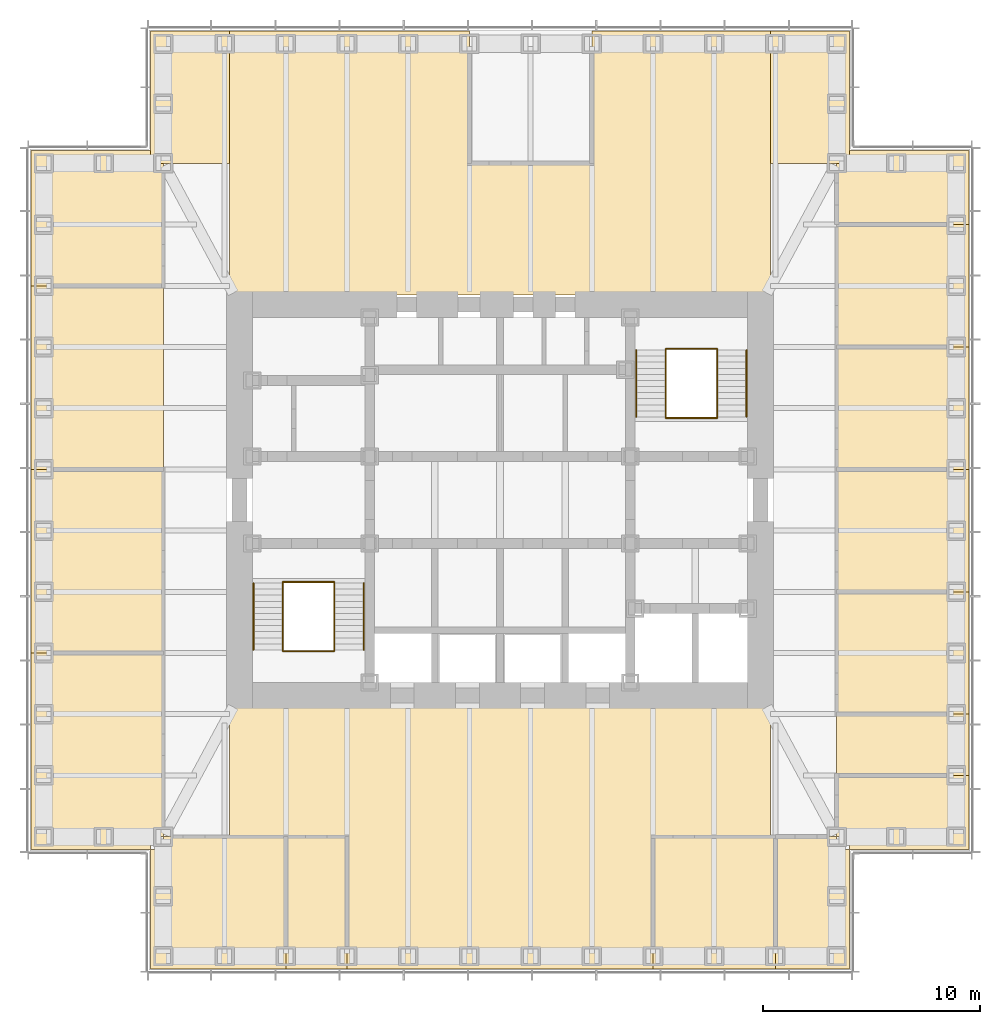
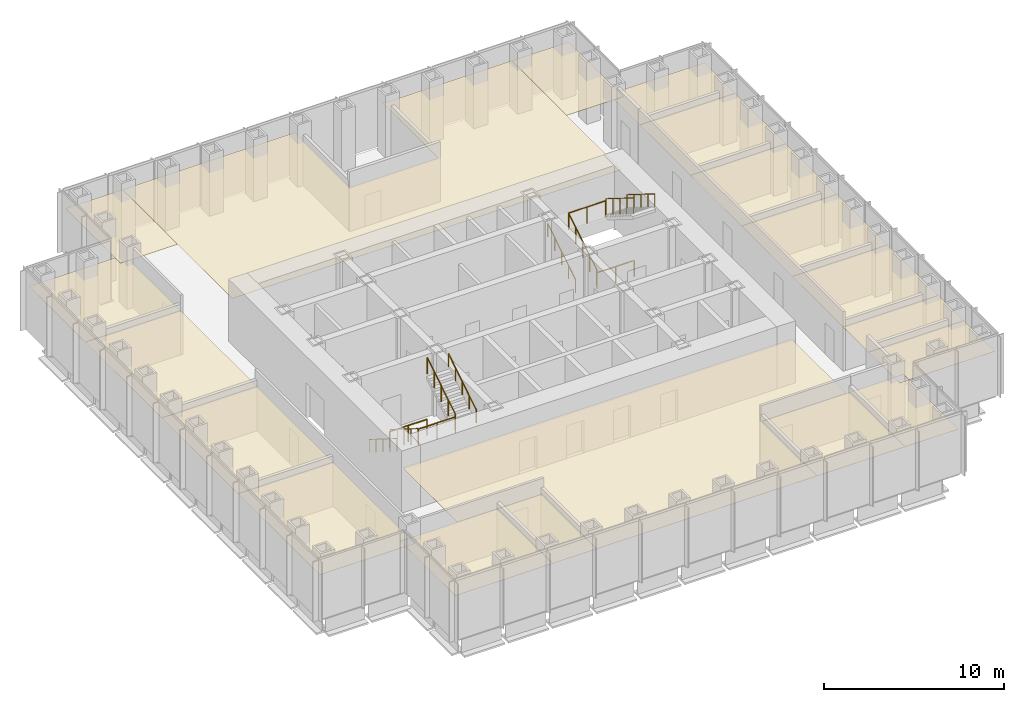
# One storey, part 16 of 16: 19 coverings, 12 railings.
"""IFC4 building model written with IfcOpenShell, lengths in metres."""

from ifc_helpers import new_model, si_unit, direction, frame, origin, origin_2d, place, context, subcontext, project, spatial, polyline, circle, outline, extrude, material, layer, layer_set, type_object, element, save


model = new_model("IFC4")

# Units and contexts
model_context = context("Model", 3, precision=1e-05, world=origin(), true_north=direction((0.0, 1.0)))
body_context = subcontext(model_context, "Body", "Model", "MODEL_VIEW")
ifc_project = project(units=[si_unit("LENGTHUNIT", "METRE"), si_unit("AREAUNIT", "SQUARE_METRE"), si_unit("VOLUMEUNIT", "CUBIC_METRE"), si_unit("PLANEANGLEUNIT", "RADIAN"), si_unit("MASSUNIT", "GRAM", prefix="KILO")], contexts=[model_context])

# Site, building, storey
site_placement = place(None, origin())
site = spatial("IfcSite", under=ifc_project, at=site_placement, CompositionType="ELEMENT")
building_placement = place(site_placement, origin())
building = spatial("IfcBuilding", under=site, at=building_placement, Name="Daluyong Arena Tower", CompositionType="ELEMENT")
storey_placement = place(building_placement, frame((0.0, 0.0, 202.300048828125)))
storey = spatial("IfcBuildingStorey", under=building, at=storey_placement, Name="L45", CompositionType="ELEMENT", Elevation=202.300048828125)

# Coverings
ifc_material_1 = material(Name="Mineral fibre ceiling tile", Category="gypsum board")
ifc_layer = layer(ifc_material_1, 0.02001953125)
ifc_layer_set = layer_set([ifc_layer], Name="Mineral fibre ceiling tile")
covering_type = type_object("IfcCoveringType", Name="Office ceiling", PredefinedType="CEILING", material=ifc_layer_set)
covering_1_placement = place(storey_placement, frame((0.0, 0.0, 2.89990234375)))
element("IfcCovering", 1, at=covering_1_placement, inside=storey, type_object=covering_type, Name="ceiling L45-01", PredefinedType="CEILING", context=body_context, shape_type="SweptSolid", body=[
    extrude(outline(polyline([(39.89990234375, 63.89990234375), (39.89990234375, 58.39990234375), (46.136474609375, 58.39990234375), (46.136474609375, 64.5), (40.5, 64.5), (40.5, 63.89990234375), (39.89990234375, 63.89990234375)])), origin(), (0.0, 0.0, 1.0), 0.02001953125),
])
covering_2_placement = place(storey_placement, frame((0.0, 0.0, 2.89990234375)))
element("IfcCovering", 2, at=covering_2_placement, inside=storey, type_object=covering_type, Name="ceiling L45-02", PredefinedType="CEILING", context=body_context, shape_type="SweptSolid", body=[
    extrude(outline(polyline([(46.136474609375, 64.5), (46.136474609375, 58.39990234375), (48.95458984375, 58.39990234375), (48.95458984375, 64.5), (46.136474609375, 64.5)])), origin(), (0.0, 0.0, 1.0), 0.02001953125),
])
covering_3_placement = place(storey_placement, frame((0.0, 0.0, 2.89990234375)))
element("IfcCovering", 3, at=covering_3_placement, inside=storey, type_object=covering_type, Name="ceiling L45-03", PredefinedType="CEILING", context=body_context, shape_type="SweptSolid", body=[
    extrude(outline(polyline([(63.04541015625, 64.5), (63.04541015625, 58.39990234375), (68.681884765625, 58.39990234375), (68.681884765625, 64.5), (63.04541015625, 64.5)])), origin(), (0.0, 0.0, 1.0), 0.02001953125),
])
covering_4_placement = place(storey_placement, frame((0.0, 0.0, 2.89990234375)))
element("IfcCovering", 4, at=covering_4_placement, inside=storey, type_object=covering_type, Name="ceiling L45-04", PredefinedType="CEILING", context=body_context, shape_type="SweptSolid", body=[
    extrude(outline(polyline([(72.10009765625, 58.39990234375), (72.10009765625, 63.89990234375), (71.5, 63.89990234375), (71.5, 64.5), (68.681884765625, 64.5), (68.681884765625, 58.39990234375), (72.10009765625, 58.39990234375)])), origin(), (0.0, 0.0, 1.0), 0.02001953125),
])
covering_5_placement = place(storey_placement, frame((0.0, 0.0, 2.89990234375)))
element("IfcCovering", 5, at=covering_5_placement, inside=storey, type_object=covering_type, Name="ceiling L45-05", PredefinedType="CEILING", context=body_context, shape_type="SweptSolid", body=[
    extrude(outline(polyline([(72.10009765625, 63.89990234375), (77.60009765625, 63.89990234375), (77.60009765625, 67.318115234375), (71.5, 67.318115234375), (71.5, 64.5), (72.10009765625, 64.5), (72.10009765625, 63.89990234375)])), origin(), (0.0, 0.0, 1.0), 0.02001953125),
])
covering_6_placement = place(storey_placement, frame((0.0, 0.0, 2.89990234375)))
element("IfcCovering", 6, at=covering_6_placement, inside=storey, type_object=covering_type, Name="ceiling L45-06", PredefinedType="CEILING", context=body_context, shape_type="SweptSolid", body=[
    extrude(outline(polyline([(71.5, 70.136474609375), (77.60009765625, 70.136474609375), (77.60009765625, 75.772705078125), (71.5, 75.772705078125), (71.5, 70.136474609375)])), origin(), (0.0, 0.0, 1.0), 0.02001953125),
])
covering_7_placement = place(storey_placement, frame((0.0, 0.0, 2.89990234375)))
element("IfcCovering", 7, at=covering_7_placement, inside=storey, type_object=covering_type, Name="ceiling L45-07", PredefinedType="CEILING", context=body_context, shape_type="SweptSolid", body=[
    extrude(outline(polyline([(71.5, 75.772705078125), (77.60009765625, 75.772705078125), (77.60009765625, 81.4091796875), (71.5, 81.4091796875), (71.5, 75.772705078125)])), origin(), (0.0, 0.0, 1.0), 0.02001953125),
])
covering_8_placement = place(storey_placement, frame((0.0, 0.0, 2.89990234375)))
element("IfcCovering", 8, at=covering_8_placement, inside=storey, type_object=covering_type, Name="ceiling L45-08", PredefinedType="CEILING", context=body_context, shape_type="SweptSolid", body=[
    extrude(outline(polyline([(71.5, 81.4091796875), (77.60009765625, 81.4091796875), (77.60009765625, 87.04541015625), (71.5, 87.04541015625), (71.5, 81.4091796875)])), origin(), (0.0, 0.0, 1.0), 0.02001953125),
])
covering_9_placement = place(storey_placement, frame((0.0, 0.0, 2.89990234375)))
element("IfcCovering", 9, at=covering_9_placement, inside=storey, type_object=covering_type, Name="ceiling L45-09", PredefinedType="CEILING", context=body_context, shape_type="SweptSolid", body=[
    extrude(outline(polyline([(71.5, 87.04541015625), (77.60009765625, 87.04541015625), (77.60009765625, 92.681884765625), (71.5, 92.681884765625), (71.5, 87.04541015625)])), origin(), (0.0, 0.0, 1.0), 0.02001953125),
])
covering_10_placement = place(storey_placement, frame((0.0, 0.0, 2.89990234375)))
element("IfcCovering", 10, at=covering_10_placement, inside=storey, type_object=covering_type, Name="ceiling L45-10", PredefinedType="CEILING", context=body_context, shape_type="SweptSolid", body=[
    extrude(outline(polyline([(71.5, 92.681884765625), (77.60009765625, 92.681884765625), (77.60009765625, 96.10009765625), (72.10009765625, 96.10009765625), (72.10009765625, 95.5), (71.5, 95.5), (71.5, 92.681884765625)])), origin(), (0.0, 0.0, 1.0), 0.02001953125),
])
covering_11_placement = place(storey_placement, frame((0.0, 0.0, 2.89990234375)))
element("IfcCovering", 11, at=covering_11_placement, inside=storey, type_object=covering_type, Name="ceiling L45-12", PredefinedType="CEILING", context=body_context, shape_type="SweptSolid", body=[
    extrude(outline(polyline([(34.39990234375, 63.89990234375), (39.89990234375, 63.89990234375), (39.89990234375, 64.5), (40.5, 64.5), (40.5, 72.95458984375), (34.39990234375, 72.95458984375), (34.39990234375, 63.89990234375)])), origin(), (0.0, 0.0, 1.0), 0.02001953125),
])
covering_12_placement = place(storey_placement, frame((0.0, 0.0, 2.89990234375)))
element("IfcCovering", 12, at=covering_12_placement, inside=storey, type_object=covering_type, Name="ceiling L45-13", PredefinedType="CEILING", context=body_context, shape_type="SweptSolid", body=[
    extrude(outline(polyline([(40.5, 81.4091796875), (34.39990234375, 81.4091796875), (34.39990234375, 72.95458984375), (40.5, 72.95458984375), (40.5, 81.4091796875)])), origin(), (0.0, 0.0, 1.0), 0.02001953125),
])
covering_13_placement = place(storey_placement, frame((0.0, 0.0, 2.89990234375)))
element("IfcCovering", 13, at=covering_13_placement, inside=storey, type_object=covering_type, Name="ceiling L45-14", PredefinedType="CEILING", context=body_context, shape_type="SweptSolid", body=[
    extrude(outline(polyline([(40.5, 89.863525390625), (40.5, 95.5), (39.89990234375, 95.5), (39.89990234375, 96.10009765625), (34.39990234375, 96.10009765625), (34.39990234375, 89.863525390625), (40.5, 89.863525390625)])), origin(), (0.0, 0.0, 1.0), 0.02001953125),
])
covering_14_placement = place(storey_placement, frame((0.0, 0.0, 2.89990234375)))
element("IfcCovering", 14, at=covering_14_placement, inside=storey, type_object=covering_type, Name="ceiling L45-17", PredefinedType="CEILING", context=body_context, shape_type="SweptSolid", body=[
    extrude(outline(polyline([(63.04541015625, 58.39990234375), (63.04541015625, 64.5), (68.449951171875, 64.5), (68.449951171875, 70.550048828125), (43.550048828125, 70.550048828125), (43.550048828125, 64.5), (48.95458984375, 64.5), (48.95458984375, 58.39990234375), (63.04541015625, 58.39990234375)])), origin(), (0.0, 0.0, 1.0), 0.02001953125),
])
covering_15_placement = place(storey_placement, frame((0.0, 0.0, 2.89990234375)))
element("IfcCovering", 15, at=covering_15_placement, inside=storey, type_object=covering_type, Name="ceiling L45-18", PredefinedType="CEILING", context=body_context, shape_type="SweptSolid", body=[
    extrude(outline(polyline([(72.10009765625, 101.60009765625), (68.449951171875, 101.60009765625), (68.449951171875, 95.5), (72.10009765625, 95.5), (72.10009765625, 101.60009765625)])), origin(), (0.0, 0.0, 1.0), 0.02001953125),
])
covering_16_placement = place(storey_placement, frame((0.0, 0.0, 2.89990234375)))
element("IfcCovering", 16, at=covering_16_placement, inside=storey, type_object=covering_type, Name="ceiling L45-19", PredefinedType="CEILING", context=body_context, shape_type="SweptSolid", body=[
    extrude(outline(polyline([(77.60009765625, 67.318115234375), (77.60009765625, 70.136474609375), (71.5, 70.136474609375), (71.5, 67.318115234375), (77.60009765625, 67.318115234375)])), origin(), (0.0, 0.0, 1.0), 0.02001953125),
])
covering_17_placement = place(storey_placement, frame((0.0, 0.0, 2.89990234375)))
element("IfcCovering", 17, at=covering_17_placement, inside=storey, type_object=covering_type, Name="ceiling L45-20", PredefinedType="CEILING", context=body_context, shape_type="SweptSolid", body=[
    extrude(outline(polyline([(54.5908203125, 101.60009765625), (43.550048828125, 101.60009765625), (43.550048828125, 89.449951171875), (68.449951171875, 89.449951171875), (68.449951171875, 101.60009765625), (60.227294921875, 101.60009765625), (60.227294921875, 95.5), (54.5908203125, 95.5), (54.5908203125, 101.60009765625)])), origin(), (0.0, 0.0, 1.0), 0.02001953125),
])
covering_18_placement = place(storey_placement, frame((0.0, 0.0, 2.89990234375)))
element("IfcCovering", 18, at=covering_18_placement, inside=storey, type_object=covering_type, Name="ceiling L45-21", PredefinedType="CEILING", context=body_context, shape_type="SweptSolid", body=[
    extrude(outline(polyline([(34.39990234375, 81.4091796875), (40.5, 81.4091796875), (40.5, 89.863525390625), (34.39990234375, 89.863525390625), (34.39990234375, 81.4091796875)])), origin(), (0.0, 0.0, 1.0), 0.02001953125),
])
covering_19_placement = place(storey_placement, frame((0.0, 0.0, 2.89990234375)))
element("IfcCovering", 19, at=covering_19_placement, inside=storey, type_object=covering_type, Name="ceiling L45-22", PredefinedType="CEILING", context=body_context, shape_type="SweptSolid", body=[
    extrude(outline(polyline([(39.89990234375, 101.60009765625), (39.89990234375, 95.5), (43.550048828125, 95.5), (43.550048828125, 101.60009765625), (39.89990234375, 101.60009765625)])), origin(), (0.0, 0.0, 1.0), 0.02001953125),
])

# Railings
ifc_material_2 = material(Name="Stainless steel handrail", Category="steel")
railing_type_1 = type_object("IfcRailingType", Name="Stair handrail", PredefinedType="HANDRAIL", material=ifc_material_2)
railing_1_placement = place(storey_placement, frame((44.64990234375, 76.175048828125, 0.175048828125)))
element("IfcRailing", 20, at=railing_1_placement, inside=storey, type_object=railing_type_1, Name="exit stair A handrail L45", PredefinedType="HANDRAIL", context=body_context, shape_type="SweptSolid", body=[
    extrude(circle(Radius=0.02392578125, at=origin_2d()), frame((0.0, 0.0, 0.8759765625), z_axis=(0.0, -0.848028513186, 0.529950602248), x_axis=(1.0, 0.0, 0.0)), (0.0, 0.0, 1.0), 3.632080078125),
    extrude(circle(Radius=0.02099609375, at=origin_2d()), origin(), (0.0, 0.0, 1.0), 0.851806640625),
    extrude(circle(Radius=0.02099609375, at=origin_2d()), frame((0.0, -0.77001953125, 0.481201171875)), (0.0, 0.0, 1.0), 0.851806640625),
    extrude(circle(Radius=0.02099609375, at=origin_2d()), frame((0.0, -1.5400390625, 0.96240234375)), (0.0, 0.0, 1.0), 0.851806640625),
    extrude(circle(Radius=0.02099609375, at=origin_2d()), frame((0.0, -2.31005859375, 1.443603515625)), (0.0, 0.0, 1.0), 0.851806640625),
    extrude(circle(Radius=0.02099609375, at=origin_2d()), frame((0.0, -3.080078125, 1.9248046875)), (0.0, 0.0, 1.0), 0.851806640625),
])
railing_2_placement = place(storey_placement, frame((49.72509765625, 73.094970703125, 2.27490234375)))
element("IfcRailing", 21, at=railing_2_placement, inside=storey, type_object=railing_type_1, Name="exit stair A handrail L45", PredefinedType="HANDRAIL", context=body_context, shape_type="SweptSolid", body=[
    extrude(circle(Radius=0.02392578125, at=origin_2d()), frame((0.0, 0.0, 0.8759765625), z_axis=(0.0, 0.847998304005, 0.529998940003), x_axis=(-1.0, 0.0, 0.0)), (0.0, 0.0, 1.0), 3.632080078125),
    extrude(circle(Radius=0.02099609375, at=origin_2d()), origin(), (0.0, 0.0, 1.0), 0.851806640625),
    extrude(circle(Radius=0.02099609375, at=origin_2d()), frame((0.0, 0.77001953125, 0.481201171875)), (0.0, 0.0, 1.0), 0.851806640625),
    extrude(circle(Radius=0.02099609375, at=origin_2d()), frame((0.0, 1.5400390625, 0.96240234375)), (0.0, 0.0, 1.0), 0.851806640625),
    extrude(circle(Radius=0.02099609375, at=origin_2d()), frame((0.0, 2.31005859375, 1.44384765625)), (0.0, 0.0, 1.0), 0.851806640625),
    extrude(circle(Radius=0.02099609375, at=origin_2d()), frame((0.0, 3.080078125, 1.925048828125)), (0.0, 0.0, 1.0), 0.851806640625),
])
railing_3_placement = place(storey_placement, frame((62.27490234375, 83.824951171875, 0.175048828125)))
element("IfcRailing", 22, at=railing_3_placement, inside=storey, type_object=railing_type_1, Name="exit stair B handrail L45", PredefinedType="HANDRAIL", context=body_context, shape_type="SweptSolid", body=[
    extrude(circle(Radius=0.02392578125, at=origin_2d()), frame((0.0, 0.0, 0.8759765625), z_axis=(0.0, 0.848028513186, 0.529950602248), x_axis=(-1.0, 0.0, 0.0)), (0.0, 0.0, 1.0), 3.632080078125),
    extrude(circle(Radius=0.02099609375, at=origin_2d()), origin(), (0.0, 0.0, 1.0), 0.851806640625),
    extrude(circle(Radius=0.02099609375, at=origin_2d()), frame((0.0, 0.77001953125, 0.481201171875)), (0.0, 0.0, 1.0), 0.851806640625),
    extrude(circle(Radius=0.02099609375, at=origin_2d()), frame((0.0, 1.5400390625, 0.96240234375)), (0.0, 0.0, 1.0), 0.851806640625),
    extrude(circle(Radius=0.02099609375, at=origin_2d()), frame((0.0, 2.31005859375, 1.443603515625)), (0.0, 0.0, 1.0), 0.851806640625),
    extrude(circle(Radius=0.02099609375, at=origin_2d()), frame((0.0, 3.080078125, 1.9248046875)), (0.0, 0.0, 1.0), 0.851806640625),
])
railing_4_placement = place(storey_placement, frame((67.35009765625, 86.905029296875, 2.27490234375)))
element("IfcRailing", 23, at=railing_4_placement, inside=storey, type_object=railing_type_1, Name="exit stair B handrail L45", PredefinedType="HANDRAIL", context=body_context, shape_type="SweptSolid", body=[
    extrude(circle(Radius=0.02392578125, at=origin_2d()), frame((0.0, 0.0, 0.8759765625), z_axis=(0.0, -0.847998304005, 0.529998940003), x_axis=(1.0, 0.0, 0.0)), (0.0, 0.0, 1.0), 3.632080078125),
    extrude(circle(Radius=0.02099609375, at=origin_2d()), origin(), (0.0, 0.0, 1.0), 0.851806640625),
    extrude(circle(Radius=0.02099609375, at=origin_2d()), frame((0.0, -0.77001953125, 0.481201171875)), (0.0, 0.0, 1.0), 0.851806640625),
    extrude(circle(Radius=0.02099609375, at=origin_2d()), frame((0.0, -1.5400390625, 0.96240234375)), (0.0, 0.0, 1.0), 0.851806640625),
    extrude(circle(Radius=0.02099609375, at=origin_2d()), frame((0.0, -2.31005859375, 1.44384765625)), (0.0, 0.0, 1.0), 0.851806640625),
    extrude(circle(Radius=0.02099609375, at=origin_2d()), frame((0.0, -3.080078125, 1.925048828125)), (0.0, 0.0, 1.0), 0.851806640625),
])
ifc_material_3 = material(Name="Steel balustrade", Category="steel")
railing_type_2 = type_object("IfcRailingType", Name="Stair well guard 1100", PredefinedType="GUARDRAIL", material=ifc_material_3)
railing_5_placement = place(storey_placement, frame((46.0, 76.175048828125, 0.175048828125)))
element("IfcRailing", 24, at=railing_5_placement, inside=storey, type_object=railing_type_2, Name="exit stair A well guard L45", PredefinedType="GUARDRAIL", context=body_context, shape_type="SweptSolid", body=[
    extrude(circle(Radius=0.02392578125, at=origin_2d()), frame((0.0, 0.0, 1.076171875), z_axis=(0.0, -0.848028513186, 0.529950602248), x_axis=(1.0, 0.0, 0.0)), (0.0, 0.0, 1.0), 3.632080078125),
    extrude(circle(Radius=0.02099609375, at=origin_2d()), origin(), (0.0, 0.0, 1.0), 1.052001953125),
    extrude(circle(Radius=0.02099609375, at=origin_2d()), frame((0.0, -0.77001953125, 0.481201171875)), (0.0, 0.0, 1.0), 1.052001953125),
    extrude(circle(Radius=0.02099609375, at=origin_2d()), frame((0.0, -1.5400390625, 0.96240234375)), (0.0, 0.0, 1.0), 1.052001953125),
    extrude(circle(Radius=0.02099609375, at=origin_2d()), frame((0.0, -2.31005859375, 1.443603515625)), (0.0, 0.0, 1.0), 1.052001953125),
    extrude(circle(Radius=0.02099609375, at=origin_2d()), frame((0.0, -3.080078125, 1.9248046875)), (0.0, 0.0, 1.0), 1.052001953125),
])
railing_6_placement = place(storey_placement, frame((48.375, 73.094970703125, 2.27490234375)))
element("IfcRailing", 25, at=railing_6_placement, inside=storey, type_object=railing_type_2, Name="exit stair A well guard L45", PredefinedType="GUARDRAIL", context=body_context, shape_type="SweptSolid", body=[
    extrude(circle(Radius=0.02392578125, at=origin_2d()), frame((0.0, 0.0, 1.076171875), z_axis=(0.0, 0.847998304005, 0.529998940003), x_axis=(-1.0, 0.0, 0.0)), (0.0, 0.0, 1.0), 3.632080078125),
    extrude(circle(Radius=0.02099609375, at=origin_2d()), origin(), (0.0, 0.0, 1.0), 1.052001953125),
    extrude(circle(Radius=0.02099609375, at=origin_2d()), frame((0.0, 0.77001953125, 0.481201171875)), (0.0, 0.0, 1.0), 1.052001953125),
    extrude(circle(Radius=0.02099609375, at=origin_2d()), frame((0.0, 1.5400390625, 0.96240234375)), (0.0, 0.0, 1.0), 1.052001953125),
    extrude(circle(Radius=0.02099609375, at=origin_2d()), frame((0.0, 2.31005859375, 1.44384765625)), (0.0, 0.0, 1.0), 1.052001953125),
    extrude(circle(Radius=0.02099609375, at=origin_2d()), frame((0.0, 3.080078125, 1.925048828125)), (0.0, 0.0, 1.0), 1.052001953125),
])
for number, where, name in (
    (26, (46.0, 73.044921875, 2.099853515625), "exit stair A landing guard L45"),
    (27, (46.0, 76.22509765625, 0.0), "exit stair A floor landing guard L45"),
):
    element("IfcRailing", number, at=place(storey_placement, frame(where)), inside=storey, type_object=railing_type_2, Name=name, PredefinedType="GUARDRAIL", context=body_context, shape_type="SweptSolid", body=[
        extrude(circle(Radius=0.02392578125, at=origin_2d()), frame((0.0, 0.0, 1.076171875), z_axis=(1.0, 0.0, 0.0), x_axis=(0.0, 1.0, 0.0)), (0.0, 0.0, 1.0), 2.375),
        extrude(circle(Radius=0.02099609375, at=origin_2d()), origin(), (0.0, 0.0, 1.0), 1.052001953125),
        extrude(circle(Radius=0.02099609375, at=origin_2d()), frame((1.1875, 0.0, 0.0)), (0.0, 0.0, 1.0), 1.052001953125),
        extrude(circle(Radius=0.02099609375, at=origin_2d()), frame((2.375, 0.0, 0.0)), (0.0, 0.0, 1.0), 1.052001953125),
    ])
railing_7_placement = place(storey_placement, frame((63.625, 83.824951171875, 0.175048828125)))
element("IfcRailing", 28, at=railing_7_placement, inside=storey, type_object=railing_type_2, Name="exit stair B well guard L45", PredefinedType="GUARDRAIL", context=body_context, shape_type="SweptSolid", body=[
    extrude(circle(Radius=0.02392578125, at=origin_2d()), frame((0.0, 0.0, 1.076171875), z_axis=(0.0, 0.848028513186, 0.529950602248), x_axis=(-1.0, 0.0, 0.0)), (0.0, 0.0, 1.0), 3.632080078125),
    extrude(circle(Radius=0.02099609375, at=origin_2d()), origin(), (0.0, 0.0, 1.0), 1.052001953125),
    extrude(circle(Radius=0.02099609375, at=origin_2d()), frame((0.0, 0.77001953125, 0.481201171875)), (0.0, 0.0, 1.0), 1.052001953125),
    extrude(circle(Radius=0.02099609375, at=origin_2d()), frame((0.0, 1.5400390625, 0.96240234375)), (0.0, 0.0, 1.0), 1.052001953125),
    extrude(circle(Radius=0.02099609375, at=origin_2d()), frame((0.0, 2.31005859375, 1.443603515625)), (0.0, 0.0, 1.0), 1.052001953125),
    extrude(circle(Radius=0.02099609375, at=origin_2d()), frame((0.0, 3.080078125, 1.9248046875)), (0.0, 0.0, 1.0), 1.052001953125),
])
railing_8_placement = place(storey_placement, frame((66.0, 86.905029296875, 2.27490234375)))
element("IfcRailing", 29, at=railing_8_placement, inside=storey, type_object=railing_type_2, Name="exit stair B well guard L45", PredefinedType="GUARDRAIL", context=body_context, shape_type="SweptSolid", body=[
    extrude(circle(Radius=0.02392578125, at=origin_2d()), frame((0.0, 0.0, 1.076171875), z_axis=(0.0, -0.847998304005, 0.529998940003), x_axis=(1.0, 0.0, 0.0)), (0.0, 0.0, 1.0), 3.632080078125),
    extrude(circle(Radius=0.02099609375, at=origin_2d()), origin(), (0.0, 0.0, 1.0), 1.052001953125),
    extrude(circle(Radius=0.02099609375, at=origin_2d()), frame((0.0, -0.77001953125, 0.481201171875)), (0.0, 0.0, 1.0), 1.052001953125),
    extrude(circle(Radius=0.02099609375, at=origin_2d()), frame((0.0, -1.5400390625, 0.96240234375)), (0.0, 0.0, 1.0), 1.052001953125),
    extrude(circle(Radius=0.02099609375, at=origin_2d()), frame((0.0, -2.31005859375, 1.44384765625)), (0.0, 0.0, 1.0), 1.052001953125),
    extrude(circle(Radius=0.02099609375, at=origin_2d()), frame((0.0, -3.080078125, 1.925048828125)), (0.0, 0.0, 1.0), 1.052001953125),
])
for number, where, name in (
    (30, (63.625, 86.955078125, 2.099853515625), "exit stair B landing guard L45"),
    (31, (63.625, 83.77490234375, 0.0), "exit stair B floor landing guard L45"),
):
    element("IfcRailing", number, at=place(storey_placement, frame(where)), inside=storey, type_object=railing_type_2, Name=name, PredefinedType="GUARDRAIL", context=body_context, shape_type="SweptSolid", body=[
        extrude(circle(Radius=0.02392578125, at=origin_2d()), frame((0.0, 0.0, 1.076171875), z_axis=(1.0, 0.0, 0.0), x_axis=(0.0, 1.0, 0.0)), (0.0, 0.0, 1.0), 2.375),
        extrude(circle(Radius=0.02099609375, at=origin_2d()), origin(), (0.0, 0.0, 1.0), 1.052001953125),
        extrude(circle(Radius=0.02099609375, at=origin_2d()), frame((1.1875, 0.0, 0.0)), (0.0, 0.0, 1.0), 1.052001953125),
        extrude(circle(Radius=0.02099609375, at=origin_2d()), frame((2.375, 0.0, 0.0)), (0.0, 0.0, 1.0), 1.052001953125),
    ])

save(model, "model.ifc")
